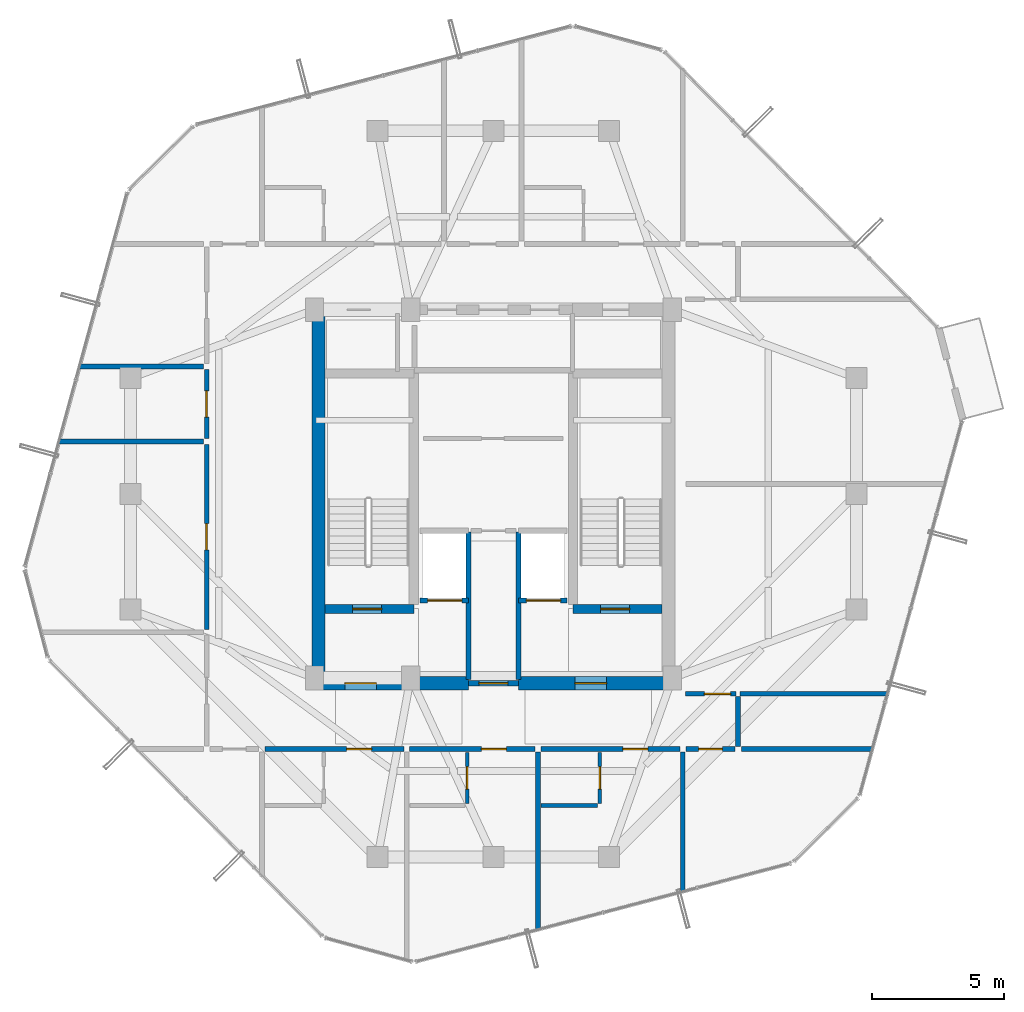
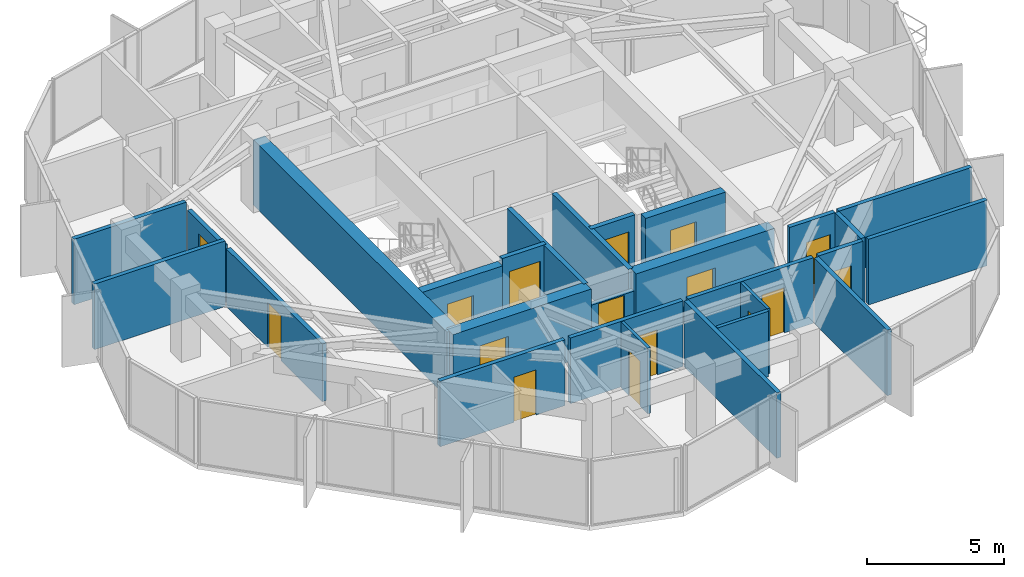
# One storey, part 25 of 29: 27 walls, 16 doors, 16 openings.
"""IFC4 building model written with IfcOpenShell, lengths in metres."""

from ifc_helpers import new_model, si_unit, direction, frame, frame_2d, origin, place, context, subcontext, project, spatial, rectangle, extrude, source, transform, mapped, material, layer, layer_set, type_object, element, fill, save


model = new_model("IFC4")

# Units and contexts
model_context = context("Model", 3, precision=1e-05, world=origin(), true_north=direction((0.0, 1.0)))
body_context = subcontext(model_context, "Body", "Model", "MODEL_VIEW")
ifc_project = project(units=[si_unit("LENGTHUNIT", "METRE"), si_unit("AREAUNIT", "SQUARE_METRE"), si_unit("VOLUMEUNIT", "CUBIC_METRE"), si_unit("PLANEANGLEUNIT", "RADIAN"), si_unit("MASSUNIT", "GRAM", prefix="KILO")], contexts=[model_context])

# Site, building, storey
site_placement = place(None, origin())
site = spatial("IfcSite", under=ifc_project, at=site_placement, CompositionType="ELEMENT")
building_placement = place(site_placement, origin())
building = spatial("IfcBuilding", under=site, at=building_placement, Name="Veraguas Prism Commons", CompositionType="ELEMENT")
storey_placement = place(building_placement, frame((0.0, 0.0, 261.0)))
storey = spatial("IfcBuildingStorey", under=building, at=storey_placement, Name="L74", CompositionType="ELEMENT", Elevation=261.0)

# Wall, opening, door
ifc_material_1 = material(Name="Concrete C50/60", Category="concrete")
ifc_layer_1 = layer(ifc_material_1, 0.35009765625, Name="Core Internal Shear Wall Upper RC 350", Category="concrete")
ifc_layer_set_1 = layer_set([ifc_layer_1], Name="Concrete C50/60")
wall_type_1 = type_object("IfcWallType", Name="Core Internal Shear Wall Upper RC 350", PredefinedType="SHEAR", material=ifc_layer_set_1)
wall_1_placement = place(storey_placement, frame((17.60009765625, 19.625, 0.0), z_axis=(0.0, 0.0, 1.0), x_axis=(1.0, 0.0, 0.0)))
wall_1 = element("IfcWall", 1, at=wall_1_placement, inside=storey, type_object=wall_type_1, Name="Stair ST-01 South Shear Wall L74", PredefinedType="SHEAR", context=body_context, shape_type="SweptSolid", body=[
    extrude(rectangle(XDim=3.375, YDim=0.35009765625, at=frame_2d((1.6875, 0.0))), origin(), (0.0, 0.0, 1.0), 2.929931640625),
])
opening_1_placement = place(wall_1_placement, frame((1.050048828125, 0.0, 0.0)))
opening_1 = element("IfcOpeningElement", 2, at=opening_1_placement, cuts=wall_1, Name="Opening DR-05", PredefinedType="OPENING", context=body_context, shape_type="SweptSolid", body=[
    extrude(rectangle(XDim=1.10009765625, YDim=2.030029296875, at=frame_2d((0.550048828125, 1.01513671875))), frame((0.0, 0.18505859375, 0.0), z_axis=(0.0, -1.0, 0.0), x_axis=(1.0, 0.0, 0.0)), (0.0, 0.0, 1.0), 0.3701171875),
])
ifc_material_2 = material(Name="Steel fire-rated door assembly", Category="steel")
door_type_1 = type_object("IfcDoorType", Name="Protected Stair and Refuge Fire Door 1100x2030", OperationType="NOTDEFINED", PredefinedType="DOOR", material=ifc_material_2)
shared_shape_1 = source(origin(), body_context, "Body", "SweptSolid", [
    extrude(rectangle(XDim=1.10009765625, YDim=2.030029296875, at=frame_2d((0.550048828125, 1.01513671875))), frame((0.0, 0.02490234375, 0.0), z_axis=(0.0, -1.0, 0.0), x_axis=(1.0, 0.0, 0.0)), (0.0, 0.0, 1.0), 0.050048828125),
])
door_1_placement = place(opening_1_placement, origin())
door_1 = element("IfcDoor", 3, at=door_1_placement, inside=storey, type_object=door_type_1, Name="Stair ST-01 Enclosure Door L74", OperationType="SINGLE_SWING_RIGHT", OverallHeight=2.030029296875, OverallWidth=1.10009765625, PredefinedType="DOOR", context=body_context, shape_type="MappedRepresentation", body=[
    mapped(shared_shape_1, transform((0.0, 0.0, 0.0), scale=1.0)),
])
fill(opening_1, door_1)

wall_2_placement = place(storey_placement, frame((27.02490234375, 19.625, 0.0), z_axis=(0.0, 0.0, 1.0), x_axis=(1.0, 0.0, 0.0)))
wall_2 = element("IfcWall", 4, at=wall_2_placement, inside=storey, type_object=wall_type_1, Name="Stair ST-02 South Shear Wall L74", PredefinedType="SHEAR", context=body_context, shape_type="SweptSolid", body=[
    extrude(rectangle(XDim=3.375, YDim=0.35009765625, at=frame_2d((1.6875, 0.0))), origin(), (0.0, 0.0, 1.0), 2.929931640625),
])
opening_2_placement = place(wall_2_placement, frame((1.050048828125, 0.0, 0.0)))
opening_2 = element("IfcOpeningElement", 5, at=opening_2_placement, cuts=wall_2, Name="Opening DR-05", PredefinedType="OPENING", context=body_context, shape_type="SweptSolid", body=[
    extrude(rectangle(XDim=1.10009765625, YDim=2.030029296875, at=frame_2d((0.550048828125, 1.01513671875))), frame((0.0, 0.18505859375, 0.0), z_axis=(0.0, -1.0, 0.0), x_axis=(1.0, 0.0, 0.0)), (0.0, 0.0, 1.0), 0.3701171875),
])
door_2_placement = place(opening_2_placement, origin())
door_2 = element("IfcDoor", 6, at=door_2_placement, inside=storey, type_object=door_type_1, Name="Stair ST-02 Enclosure Door L74", OperationType="SINGLE_SWING_LEFT", OverallHeight=2.030029296875, OverallWidth=1.10009765625, PredefinedType="DOOR", context=body_context, shape_type="MappedRepresentation", body=[
    mapped(shared_shape_1, transform((0.0, 0.0, 0.0), scale=1.0)),
])
fill(opening_2, door_2)

# Wall
ifc_layer_2 = layer(ifc_material_1, 0.5, Name="Core Outer Shear Wall Upper RC 500", Category="concrete")
ifc_layer_set_2 = layer_set([ifc_layer_2], Name="Concrete C50/60")
wall_type_2 = type_object("IfcWallType", Name="Core Outer Shear Wall Upper RC 500", PredefinedType="SHEAR", material=ifc_layer_set_2)
wall_3_placement = place(storey_placement, frame((17.35009765625, 16.800048828125, 0.0), z_axis=(0.0, 0.0, 1.0), x_axis=(0.0, 1.0, 0.0)))
element("IfcWall", 7, at=wall_3_placement, inside=storey, type_object=wall_type_2, Name="Central Core West Shear Wall L74", PredefinedType="SHEAR", context=body_context, shape_type="SweptSolid", body=[
    extrude(rectangle(XDim=14.199951171875, YDim=0.5, at=frame_2d((7.10009765625, 0.0))), origin(), (0.0, 0.0, 1.0), 2.929931640625),
])

# Wall, opening, door
wall_4_placement = place(storey_placement, frame((17.199951171875, 16.800048828125, 0.0), z_axis=(0.0, 0.0, 1.0), x_axis=(1.0, 0.0, 0.0)))
wall_4 = element("IfcWall", 8, at=wall_4_placement, inside=storey, type_object=wall_type_2, Name="Central Core South-West Shear Wall L74", PredefinedType="SHEAR", context=body_context, shape_type="SweptSolid", body=[
    extrude(rectangle(XDim=5.85009765625, YDim=0.5, at=frame_2d((2.925048828125, 0.0))), origin(), (0.0, 0.0, 1.0), 2.929931640625),
])
opening_3_placement = place(wall_4_placement, frame((1.14990234375, 0.0, 0.0)))
opening_3 = element("IfcOpeningElement", 9, at=opening_3_placement, cuts=wall_4, Name="Opening DR-06", PredefinedType="OPENING", context=body_context, shape_type="SweptSolid", body=[
    extrude(rectangle(XDim=1.199951171875, YDim=2.030029296875, at=frame_2d((0.60009765625, 1.01513671875))), frame((0.0, 0.260009765625, 0.0), z_axis=(0.0, -1.0, 0.0), x_axis=(1.0, 0.0, 0.0)), (0.0, 0.0, 1.0), 0.52001953125),
])
door_type_2 = type_object("IfcDoorType", Name="Firefighting Lobby Smoke Door 1200x2030", OperationType="NOTDEFINED", PredefinedType="DOOR", material=ifc_material_2)
shared_shape_2 = source(origin(), body_context, "Body", "SweptSolid", [
    extrude(rectangle(XDim=1.199951171875, YDim=2.030029296875, at=frame_2d((0.60009765625, 1.01513671875))), frame((0.0, 0.02490234375, 0.0), z_axis=(0.0, -1.0, 0.0), x_axis=(1.0, 0.0, 0.0)), (0.0, 0.0, 1.0), 0.050048828125),
])
door_3_placement = place(opening_3_placement, origin())
door_3 = element("IfcDoor", 10, at=door_3_placement, inside=storey, type_object=door_type_2, Name="West FF Lobby Door L74", OperationType="SINGLE_SWING_LEFT", OverallHeight=2.030029296875, OverallWidth=1.199951171875, PredefinedType="DOOR", context=body_context, shape_type="MappedRepresentation", body=[
    mapped(shared_shape_2, transform((0.0, 0.0, 0.0), scale=1.0)),
])
fill(opening_3, door_3)

wall_5_placement = place(storey_placement, frame((24.949951171875, 16.800048828125, 0.0), z_axis=(0.0, 0.0, 1.0), x_axis=(1.0, 0.0, 0.0)))
wall_5 = element("IfcWall", 11, at=wall_5_placement, inside=storey, type_object=wall_type_2, Name="Central Core South-East Shear Wall L74", PredefinedType="SHEAR", context=body_context, shape_type="SweptSolid", body=[
    extrude(rectangle(XDim=5.85009765625, YDim=0.5, at=frame_2d((2.925048828125, 0.0))), origin(), (0.0, 0.0, 1.0), 2.929931640625),
])
opening_4_placement = place(wall_5_placement, frame((2.14990234375, 0.0, 0.0)))
opening_4 = element("IfcOpeningElement", 12, at=opening_4_placement, cuts=wall_5, Name="Opening DR-06", PredefinedType="OPENING", context=body_context, shape_type="SweptSolid", body=[
    extrude(rectangle(XDim=1.199951171875, YDim=2.030029296875, at=frame_2d((0.60009765625, 1.01513671875))), frame((0.0, 0.260009765625, 0.0), z_axis=(0.0, -1.0, 0.0), x_axis=(1.0, 0.0, 0.0)), (0.0, 0.0, 1.0), 0.52001953125),
])
door_4_placement = place(opening_4_placement, origin())
door_4 = element("IfcDoor", 13, at=door_4_placement, inside=storey, type_object=door_type_2, Name="East FF Lobby Door L74", OperationType="SINGLE_SWING_LEFT", OverallHeight=2.030029296875, OverallWidth=1.199951171875, PredefinedType="DOOR", context=body_context, shape_type="MappedRepresentation", body=[
    mapped(shared_shape_2, transform((0.0, 0.0, 0.0), scale=1.0)),
])
fill(opening_4, door_4)

# Wall
ifc_material_3 = material(Name="Autoclaved aerated masonry block 10 MPa", Category="masonry")
ifc_layer_3 = layer(ifc_material_3, 0.179931640625, Name="Corridor and Inter-Tenancy Partition 180", Category="masonry")
ifc_layer_set_3 = layer_set([ifc_layer_3], Name="Autoclaved aerated masonry block 10 MPa")
wall_type_3 = type_object("IfcWallType", Name="Corridor and Inter-Tenancy Partition 180", PredefinedType="PARTITIONING", material=ifc_layer_set_3)
wall_6_placement = place(storey_placement, frame((31.199951171875, 14.179931640625, 0.0), z_axis=(0.0, 0.0, 1.0), x_axis=(0.0, -1.0, 0.0)))
element("IfcWall", 14, at=wall_6_placement, inside=storey, type_object=wall_type_3, Name="WL-L74-PT002", PredefinedType="PARTITIONING", context=body_context, shape_type="SweptSolid", body=[
    extrude(rectangle(XDim=5.333251953125, YDim=0.179931640625, at=frame_2d((2.66650390625, 0.0))), origin(), (0.0, 0.0, 1.0), 2.929931640625),
])

# Wall, opening, door
wall_7_placement = place(storey_placement, frame((15.31005859375, 14.300048828125, 0.0), z_axis=(0.0, 0.0, 1.0), x_axis=(1.0, 0.0, 0.0)))
wall_7 = element("IfcWall", 15, at=wall_7_placement, inside=storey, type_object=wall_type_3, Name="WL-L74-PT003", PredefinedType="PARTITIONING", context=body_context, shape_type="SweptSolid", body=[
    extrude(rectangle(XDim=5.284912109375, YDim=0.179931640625, at=frame_2d((2.642578125, 0.0))), origin(), (0.0, 0.0, 1.0), 2.929931640625),
])
opening_5_placement = place(wall_7_placement, frame((3.11181640625, 0.0, 0.0)))
opening_5 = element("IfcOpeningElement", 16, at=opening_5_placement, cuts=wall_7, Name="Opening DR-01", PredefinedType="OPENING", context=body_context, shape_type="SweptSolid", body=[
    extrude(rectangle(XDim=0.949951171875, YDim=2.02001953125, at=frame_2d((0.47509765625, 1.010009765625))), frame((0.0, 0.099853515625, 0.0), z_axis=(0.0, -1.0, 0.0), x_axis=(1.0, 0.0, 0.0)), (0.0, 0.0, 1.0), 0.199951171875),
])
ifc_material_4 = material(Name="Anodised aluminium EN AW-6063 T6", Category="aluminium")
door_type_3 = type_object("IfcDoorType", Name="Apartment Entrance Fire Door 950x2020", OperationType="NOTDEFINED", PredefinedType="DOOR", material=ifc_material_4)
shared_shape_3 = source(origin(), body_context, "Body", "SweptSolid", [
    extrude(rectangle(XDim=0.949951171875, YDim=2.02001953125, at=frame_2d((0.47509765625, 1.010009765625))), frame((0.0, 0.02490234375, 0.0), z_axis=(0.0, -1.0, 0.0), x_axis=(1.0, 0.0, 0.0)), (0.0, 0.0, 1.0), 0.050048828125),
])
door_5_placement = place(opening_5_placement, origin())
door_5 = element("IfcDoor", 17, at=door_5_placement, inside=storey, type_object=door_type_3, Name="Studio 74A Entrance Door", OperationType="SINGLE_SWING_RIGHT", OverallHeight=2.02001953125, OverallWidth=0.949951171875, PredefinedType="DOOR", context=body_context, shape_type="MappedRepresentation", body=[
    mapped(shared_shape_3, transform((0.0, 0.0, 0.0), scale=1.0)),
])
fill(opening_5, door_5)

wall_8_placement = place(storey_placement, frame((20.81494140625, 14.300048828125, 0.0), z_axis=(0.0, 0.0, 1.0), x_axis=(1.0, 0.0, 0.0)))
wall_8 = element("IfcWall", 18, at=wall_8_placement, inside=storey, type_object=wall_type_3, Name="WL-L74-PT007", PredefinedType="PARTITIONING", context=body_context, shape_type="SweptSolid", body=[
    extrude(rectangle(XDim=4.77001953125, YDim=0.179931640625, at=frame_2d((2.385009765625, 0.0))), origin(), (0.0, 0.0, 1.0), 2.929931640625),
])
opening_6_placement = place(wall_8_placement, frame((2.730712890625, 0.0, 0.0)))
opening_6 = element("IfcOpeningElement", 19, at=opening_6_placement, cuts=wall_8, Name="Opening DR-01", PredefinedType="OPENING", context=body_context, shape_type="SweptSolid", body=[
    extrude(rectangle(XDim=0.949951171875, YDim=2.02001953125, at=frame_2d((0.47509765625, 1.010009765625))), frame((0.0, 0.099853515625, 0.0), z_axis=(0.0, -1.0, 0.0), x_axis=(1.0, 0.0, 0.0)), (0.0, 0.0, 1.0), 0.199951171875),
])
door_6_placement = place(opening_6_placement, origin())
door_6 = element("IfcDoor", 20, at=door_6_placement, inside=storey, type_object=door_type_3, Name="Studio 74B Entrance Door", OperationType="SINGLE_SWING_RIGHT", OverallHeight=2.02001953125, OverallWidth=0.949951171875, PredefinedType="DOOR", context=body_context, shape_type="MappedRepresentation", body=[
    mapped(shared_shape_3, transform((0.0, 0.0, 0.0), scale=1.0)),
])
fill(opening_6, door_6)

# Wall
wall_9_placement = place(storey_placement, frame((25.695068359375, 14.179931640625, 0.0), z_axis=(0.0, 0.0, 1.0), x_axis=(0.0, -1.0, 0.0)))
element("IfcWall", 21, at=wall_9_placement, inside=storey, type_object=wall_type_3, Name="WL-L74-PT010", PredefinedType="PARTITIONING", context=body_context, shape_type="SweptSolid", body=[
    extrude(rectangle(XDim=6.777587890625, YDim=0.179931640625, at=frame_2d((3.388671875, 0.0))), origin(), (0.0, 0.0, 1.0), 2.929931640625),
])

# Wall, opening, door
wall_10_placement = place(storey_placement, frame((25.804931640625, 14.300048828125, 0.0), z_axis=(0.0, 0.0, 1.0), x_axis=(1.0, 0.0, 0.0)))
wall_10 = element("IfcWall", 22, at=wall_10_placement, inside=storey, type_object=wall_type_3, Name="WL-L74-PT011", PredefinedType="PARTITIONING", context=body_context, shape_type="SweptSolid", body=[
    extrude(rectangle(XDim=5.28515625, YDim=0.179931640625, at=frame_2d((2.642578125, 0.0))), origin(), (0.0, 0.0, 1.0), 2.929931640625),
])
opening_7_placement = place(wall_10_placement, frame((3.11181640625, 0.0, 0.0)))
opening_7 = element("IfcOpeningElement", 23, at=opening_7_placement, cuts=wall_10, Name="Opening DR-01", PredefinedType="OPENING", context=body_context, shape_type="SweptSolid", body=[
    extrude(rectangle(XDim=0.949951171875, YDim=2.02001953125, at=frame_2d((0.47509765625, 1.010009765625))), frame((0.0, 0.099853515625, 0.0), z_axis=(0.0, -1.0, 0.0), x_axis=(1.0, 0.0, 0.0)), (0.0, 0.0, 1.0), 0.199951171875),
])
door_7_placement = place(opening_7_placement, origin())
door_7 = element("IfcDoor", 24, at=door_7_placement, inside=storey, type_object=door_type_3, Name="Studio 74C Entrance Door", OperationType="SINGLE_SWING_RIGHT", OverallHeight=2.02001953125, OverallWidth=0.949951171875, PredefinedType="DOOR", context=body_context, shape_type="MappedRepresentation", body=[
    mapped(shared_shape_3, transform((0.0, 0.0, 0.0), scale=1.0)),
])
fill(opening_7, door_7)

wall_11_placement = place(storey_placement, frame((13.10009765625, 18.85400390625, 0.0), z_axis=(0.0, 0.0, 1.0), x_axis=(0.0, 1.0, 0.0)))
wall_11 = element("IfcWall", 25, at=wall_11_placement, inside=storey, type_object=wall_type_3, Name="WL-L74-PT028", PredefinedType="PARTITIONING", context=body_context, shape_type="SweptSolid", body=[
    extrude(rectangle(XDim=7.030029296875, YDim=0.179931640625, at=frame_2d((3.51513671875, 0.0))), origin(), (0.0, 0.0, 1.0), 2.576904296875),
])
opening_8_placement = place(wall_11_placement, frame((3.014892578125, 0.0, 0.0)))
opening_8 = element("IfcOpeningElement", 26, at=opening_8_placement, cuts=wall_11, Name="Opening DR-13", PredefinedType="OPENING", context=body_context, shape_type="SweptSolid", body=[
    extrude(rectangle(XDim=1.0, YDim=2.010009765625, at=frame_2d((0.5, 1.0048828125))), frame((0.0, 0.099853515625, 0.0), z_axis=(0.0, -1.0, 0.0), x_axis=(1.0, 0.0, 0.0)), (0.0, 0.0, 1.0), 0.199951171875),
])
door_type_4 = type_object("IfcDoorType", Name="Core Accessible WC and Clinic Fire Door 1000x2010", OperationType="NOTDEFINED", PredefinedType="DOOR", material=ifc_material_2)
shared_shape_4 = source(origin(), body_context, "Body", "SweptSolid", [
    extrude(rectangle(XDim=1.0, YDim=2.010009765625, at=frame_2d((0.5, 1.0048828125))), frame((0.0, 0.02490234375, 0.0), z_axis=(0.0, -1.0, 0.0), x_axis=(1.0, 0.0, 0.0)), (0.0, 0.0, 1.0), 0.050048828125),
])
door_8_placement = place(opening_8_placement, origin())
door_8 = element("IfcDoor", 27, at=door_8_placement, inside=storey, type_object=door_type_4, Name="Co-op Store W Door", OperationType="SINGLE_SWING_RIGHT", OverallHeight=2.010009765625, OverallWidth=1.0, PredefinedType="DOOR", context=body_context, shape_type="MappedRepresentation", body=[
    mapped(shared_shape_4, transform((0.0, 0.0, 0.0), scale=1.0)),
])
fill(opening_8, door_8)

# Wall
wall_12_placement = place(storey_placement, frame((12.97998046875, 25.993896484375, 0.0), z_axis=(0.0, 0.0, 1.0), x_axis=(-1.0, 0.0, 0.0)))
element("IfcWall", 28, at=wall_12_placement, inside=storey, type_object=wall_type_3, Name="WL-L74-PT030", PredefinedType="PARTITIONING", context=body_context, shape_type="SweptSolid", body=[
    extrude(rectangle(XDim=5.524658203125, YDim=0.179931640625, at=frame_2d((2.76220703125, 0.0))), origin(), (0.0, 0.0, 1.0), 2.929931640625),
])

# Wall, opening, door
wall_13_placement = place(storey_placement, frame((13.10009765625, 26.10400390625, 0.0), z_axis=(0.0, 0.0, 1.0), x_axis=(0.0, 1.0, 0.0)))
wall_13 = element("IfcWall", 29, at=wall_13_placement, inside=storey, type_object=wall_type_3, Name="WL-L74-PT031", PredefinedType="PARTITIONING", context=body_context, shape_type="SweptSolid", body=[
    extrude(rectangle(XDim=2.632080078125, YDim=0.179931640625, at=frame_2d((1.31591796875, 0.0))), origin(), (0.0, 0.0, 1.0), 2.576904296875),
])
opening_9_placement = place(wall_13_placement, frame((0.81591796875, 0.0, 0.0)))
opening_9 = element("IfcOpeningElement", 30, at=opening_9_placement, cuts=wall_13, Name="Opening DR-13", PredefinedType="OPENING", context=body_context, shape_type="SweptSolid", body=[
    extrude(rectangle(XDim=1.0, YDim=2.010009765625, at=frame_2d((0.5, 1.0048828125))), frame((0.0, 0.099853515625, 0.0), z_axis=(0.0, -1.0, 0.0), x_axis=(1.0, 0.0, 0.0)), (0.0, 0.0, 1.0), 0.199951171875),
])
door_9_placement = place(opening_9_placement, origin())
door_9 = element("IfcDoor", 31, at=door_9_placement, inside=storey, type_object=door_type_4, Name="Youth Homework Study Room Door", OperationType="SINGLE_SWING_LEFT", OverallHeight=2.010009765625, OverallWidth=1.0, PredefinedType="DOOR", context=body_context, shape_type="MappedRepresentation", body=[
    mapped(shared_shape_4, transform((0.0, 0.0, 0.0), scale=1.0)),
])
fill(opening_9, door_9)

# Walls
wall_14_placement = place(storey_placement, frame((12.97998046875, 28.845947265625, 0.0), z_axis=(0.0, 0.0, 1.0), x_axis=(-1.0, 0.0, 0.0)))
element("IfcWall", 32, at=wall_14_placement, inside=storey, type_object=wall_type_3, Name="WL-L74-PT033", PredefinedType="PARTITIONING", context=body_context, shape_type="SweptSolid", body=[
    extrude(rectangle(XDim=4.744384765625, YDim=0.179931640625, at=frame_2d((2.3720703125, 0.0))), origin(), (0.0, 0.0, 1.0), 2.929931640625),
])
wall_15_placement = place(storey_placement, frame((33.300048828125, 14.39990234375, 0.0), z_axis=(0.0, 0.0, 1.0), x_axis=(0.0, 1.0, 0.0)))
element("IfcWall", 33, at=wall_15_placement, inside=storey, type_object=wall_type_3, Name="WL-L74-PT035", PredefinedType="PARTITIONING", context=body_context, shape_type="SweptSolid", body=[
    extrude(rectangle(XDim=1.900146484375, YDim=0.179931640625, at=frame_2d((0.9501953125, 0.0))), origin(), (0.0, 0.0, 1.0), 2.929931640625),
])

# Wall, opening, door
wall_16_placement = place(storey_placement, frame((31.300048828125, 16.39990234375, 0.0), z_axis=(0.0, 0.0, 1.0), x_axis=(1.0, 0.0, 0.0)))
wall_16 = element("IfcWall", 34, at=wall_16_placement, inside=storey, type_object=wall_type_3, Name="WL-L74-PT037", PredefinedType="PARTITIONING", context=body_context, shape_type="SweptSolid", body=[
    extrude(rectangle(XDim=1.919921875, YDim=0.179931640625, at=frame_2d((0.9599609375, 0.0))), origin(), (0.0, 0.0, 1.0), 2.929931640625),
])
opening_10_placement = place(wall_16_placement, frame((0.719970703125, 0.0, 0.0)))
opening_10 = element("IfcOpeningElement", 35, at=opening_10_placement, cuts=wall_16, Name="Opening DR-13", PredefinedType="OPENING", context=body_context, shape_type="SweptSolid", body=[
    extrude(rectangle(XDim=1.0, YDim=2.010009765625, at=frame_2d((0.5, 1.0048828125))), frame((0.0, 0.099853515625, 0.0), z_axis=(0.0, -1.0, 0.0), x_axis=(1.0, 0.0, 0.0)), (0.0, 0.0, 1.0), 0.199951171875),
])
door_10_placement = place(opening_10_placement, origin())
door_10 = element("IfcDoor", 36, at=door_10_placement, inside=storey, type_object=door_type_4, Name="Panorama Lounge Door L74", OperationType="SINGLE_SWING_LEFT", OverallHeight=2.010009765625, OverallWidth=1.0, PredefinedType="DOOR", context=body_context, shape_type="MappedRepresentation", body=[
    mapped(shared_shape_4, transform((0.0, 0.0, 0.0), scale=1.0)),
])
fill(opening_10, door_10)

# Walls
wall_17_placement = place(storey_placement, frame((33.3798828125, 16.39990234375, 0.0), z_axis=(0.0, 0.0, 1.0), x_axis=(1.0, 0.0, 0.0)))
element("IfcWall", 37, at=wall_17_placement, inside=storey, type_object=wall_type_3, Name="WL-L74-PT038", PredefinedType="PARTITIONING", context=body_context, shape_type="SweptSolid", body=[
    extrude(rectangle(XDim=5.631103515625, YDim=0.179931640625, at=frame_2d((2.8154296875, 0.0))), origin(), (0.0, 0.0, 1.0), 2.929931640625),
])
wall_18_placement = place(storey_placement, frame((33.419921875, 14.300048828125, 0.0), z_axis=(0.0, 0.0, 1.0), x_axis=(1.0, 0.0, 0.0)))
element("IfcWall", 38, at=wall_18_placement, inside=storey, type_object=wall_type_3, Name="WL-L74-PT042", PredefinedType="PARTITIONING", context=body_context, shape_type="SweptSolid", body=[
    extrude(rectangle(XDim=5.0166015625, YDim=0.179931640625, at=frame_2d((2.50830078125, 0.0))), origin(), (0.0, 0.0, 1.0), 2.929931640625),
])

# Wall, opening, door
wall_19_placement = place(storey_placement, frame((31.320068359375, 14.300048828125, 0.0), z_axis=(0.0, 0.0, 1.0), x_axis=(1.0, 0.0, 0.0)))
wall_19 = element("IfcWall", 39, at=wall_19_placement, inside=storey, type_object=wall_type_3, Name="WL-L74-PT043", PredefinedType="PARTITIONING", context=body_context, shape_type="SweptSolid", body=[
    extrude(rectangle(XDim=1.85986328125, YDim=0.179931640625, at=frame_2d((0.929931640625, 0.0))), origin(), (0.0, 0.0, 1.0), 2.929931640625),
])
opening_11_placement = place(wall_19_placement, frame((0.47998046875, 0.0, 0.0)))
opening_11 = element("IfcOpeningElement", 40, at=opening_11_placement, cuts=wall_19, Name="Opening DR-14", PredefinedType="OPENING", context=body_context, shape_type="SweptSolid", body=[
    extrude(rectangle(XDim=0.89990234375, YDim=2.010009765625, at=frame_2d((0.449951171875, 1.0048828125))), frame((0.0, 0.099853515625, 0.0), z_axis=(0.0, -1.0, 0.0), x_axis=(1.0, 0.0, 0.0)), (0.0, 0.0, 1.0), 0.199951171875),
])
door_type_5 = type_object("IfcDoorType", Name="Core Service Room Fire Door 900x2010", OperationType="NOTDEFINED", PredefinedType="DOOR", material=ifc_material_2)
shared_shape_5 = source(origin(), body_context, "Body", "SweptSolid", [
    extrude(rectangle(XDim=0.89990234375, YDim=2.010009765625, at=frame_2d((0.449951171875, 1.0048828125))), frame((0.0, 0.02490234375, 0.0), z_axis=(0.0, -1.0, 0.0), x_axis=(1.0, 0.0, 0.0)), (0.0, 0.0, 1.0), 0.050048828125),
])
door_11_placement = place(opening_11_placement, origin())
door_11 = element("IfcDoor", 41, at=door_11_placement, inside=storey, type_object=door_type_5, Name="Corner Study SE Door", OperationType="SINGLE_SWING_RIGHT", OverallHeight=2.010009765625, OverallWidth=0.89990234375, PredefinedType="DOOR", context=body_context, shape_type="MappedRepresentation", body=[
    mapped(shared_shape_5, transform((0.0, 0.0, 0.0), scale=1.0)),
])
fill(opening_11, door_11)

ifc_material_5 = material(Name="Lightweight acoustic gypsum board")
ifc_layer_4 = layer(ifc_material_5, 0.125, Name="Internal Apartment Room Partition 125")
ifc_layer_set_4 = layer_set([ifc_layer_4], Name="Lightweight acoustic gypsum board")
wall_type_4 = type_object("IfcWallType", Name="Internal Apartment Room Partition 125", PredefinedType="PARTITIONING", material=ifc_layer_set_4)
wall_20_placement = place(storey_placement, frame((23.0, 14.179931640625, 0.0), z_axis=(0.0, 0.0, 1.0), x_axis=(0.0, -1.0, 0.0)))
wall_20 = element("IfcWall", 42, at=wall_20_placement, inside=storey, type_object=wall_type_4, Name="WL-L74-PT008", PredefinedType="PARTITIONING", context=body_context, shape_type="SweptSolid", body=[
    extrude(rectangle(XDim=1.949951171875, YDim=0.125, at=frame_2d((0.97509765625, 0.0))), origin(), (0.0, 0.0, 1.0), 2.929931640625),
])
opening_12_placement = place(wall_20_placement, frame((0.544921875, 0.0, 0.0)))
opening_12 = element("IfcOpeningElement", 43, at=opening_12_placement, cuts=wall_20, Name="Opening DR-03", PredefinedType="OPENING", context=body_context, shape_type="SweptSolid", body=[
    extrude(rectangle(XDim=0.860107421875, YDim=2.010009765625, at=frame_2d((0.43017578125, 1.0048828125))), frame((0.0, 0.072509765625, 0.0), z_axis=(0.0, -1.0, 0.0), x_axis=(1.0, 0.0, 0.0)), (0.0, 0.0, 1.0), 0.14501953125),
])
ifc_material_6 = material(Name="Timber moisture-resistant leaf", Category="wood")
door_type_6 = type_object("IfcDoorType", Name="Internal Bathroom Door 860x2010", OperationType="NOTDEFINED", PredefinedType="DOOR", material=ifc_material_6)
shared_shape_6 = source(origin(), body_context, "Body", "SweptSolid", [
    extrude(rectangle(XDim=0.860107421875, YDim=2.010009765625, at=frame_2d((0.43017578125, 1.0048828125))), frame((0.0, 0.02490234375, 0.0), z_axis=(0.0, -1.0, 0.0), x_axis=(1.0, 0.0, 0.0)), (0.0, 0.0, 1.0), 0.050048828125),
])
door_12_placement = place(opening_12_placement, origin())
door_12 = element("IfcDoor", 44, at=door_12_placement, inside=storey, type_object=door_type_6, Name="Studio 74B Bathroom Door", OperationType="SINGLE_SWING_LEFT", OverallHeight=2.010009765625, OverallWidth=0.860107421875, PredefinedType="DOOR", context=body_context, shape_type="MappedRepresentation", body=[
    mapped(shared_shape_6, transform((0.0, 0.0, 0.0), scale=1.0)),
])
fill(opening_12, door_12)

wall_21_placement = place(storey_placement, frame((28.044921875, 14.179931640625, 0.0), z_axis=(0.0, 0.0, 1.0), x_axis=(0.0, -1.0, 0.0)))
wall_21 = element("IfcWall", 45, at=wall_21_placement, inside=storey, type_object=wall_type_4, Name="WL-L74-PT012", PredefinedType="PARTITIONING", context=body_context, shape_type="SweptSolid", body=[
    extrude(rectangle(XDim=1.949951171875, YDim=0.125, at=frame_2d((0.97509765625, 0.0))), origin(), (0.0, 0.0, 1.0), 2.929931640625),
])
opening_13_placement = place(wall_21_placement, frame((0.544921875, 0.0, 0.0)))
opening_13 = element("IfcOpeningElement", 46, at=opening_13_placement, cuts=wall_21, Name="Opening DR-03", PredefinedType="OPENING", context=body_context, shape_type="SweptSolid", body=[
    extrude(rectangle(XDim=0.860107421875, YDim=2.010009765625, at=frame_2d((0.43017578125, 1.0048828125))), frame((0.0, 0.072509765625, 0.0), z_axis=(0.0, -1.0, 0.0), x_axis=(1.0, 0.0, 0.0)), (0.0, 0.0, 1.0), 0.14501953125),
])
door_13_placement = place(opening_13_placement, origin())
door_13 = element("IfcDoor", 47, at=door_13_placement, inside=storey, type_object=door_type_6, Name="Studio 74C Bathroom Door", OperationType="SINGLE_SWING_LEFT", OverallHeight=2.010009765625, OverallWidth=0.860107421875, PredefinedType="DOOR", context=body_context, shape_type="MappedRepresentation", body=[
    mapped(shared_shape_6, transform((0.0, 0.0, 0.0), scale=1.0)),
])
fill(opening_13, door_13)

ifc_layer_5 = layer(ifc_material_3, 0.199951171875, Name="Rated Shaft and Lobby Block Wall 200", Category="masonry")
ifc_layer_set_5 = layer_set([ifc_layer_5], Name="Autoclaved aerated masonry block 10 MPa")
wall_type_5 = type_object("IfcWallType", Name="Rated Shaft and Lobby Block Wall 200", PredefinedType="SOLIDWALL", material=ifc_layer_set_5)
wall_22_placement = place(storey_placement, frame((23.050048828125, 16.800048828125, 0.0), z_axis=(0.0, 0.0, 1.0), x_axis=(1.0, 0.0, 0.0)))
wall_22 = element("IfcWall", 48, at=wall_22_placement, inside=storey, type_object=wall_type_5, Name="Central Core Lobby Entrance Wall L74", PredefinedType="SOLIDWALL", context=body_context, shape_type="SweptSolid", body=[
    extrude(rectangle(XDim=1.89990234375, YDim=0.199951171875, at=frame_2d((0.949951171875, 0.0))), origin(), (0.0, 0.0, 1.0), 2.080078125),
])
opening_14_placement = place(wall_22_placement, frame((0.39990234375, 0.0, 0.0)))
opening_14 = element("IfcOpeningElement", 49, at=opening_14_placement, cuts=wall_22, Name="Opening DR-05", PredefinedType="OPENING", context=body_context, shape_type="SweptSolid", body=[
    extrude(rectangle(XDim=1.10009765625, YDim=2.030029296875, at=frame_2d((0.550048828125, 1.01513671875))), frame((0.0, 0.10986328125, 0.0), z_axis=(0.0, -1.0, 0.0), x_axis=(1.0, 0.0, 0.0)), (0.0, 0.0, 1.0), 0.219970703125),
])
door_14_placement = place(opening_14_placement, origin())
door_14 = element("IfcDoor", 50, at=door_14_placement, inside=storey, type_object=door_type_1, Name="Central Lobby Door L74", OperationType="SINGLE_SWING_RIGHT", OverallHeight=2.030029296875, OverallWidth=1.10009765625, PredefinedType="DOOR", context=body_context, shape_type="MappedRepresentation", body=[
    mapped(shared_shape_1, transform((0.0, 0.0, 0.0), scale=1.0)),
])
fill(opening_14, door_14)

wall_23_placement = place(storey_placement, frame((21.199951171875, 19.949951171875, 0.0), z_axis=(0.0, 0.0, 1.0), x_axis=(1.0, 0.0, 0.0)))
wall_23 = element("IfcWall", 51, at=wall_23_placement, inside=storey, type_object=wall_type_5, Name="Firefighting Lift FFL-1 Front Wall L74", PredefinedType="SOLIDWALL", context=body_context, shape_type="SweptSolid", body=[
    extrude(rectangle(XDim=1.85009765625, YDim=0.199951171875, at=frame_2d((0.925048828125, 0.0))), origin(), (0.0, 0.0, 1.0), 2.929931640625),
])
opening_15_placement = place(wall_23_placement, frame((0.300048828125, 0.0, 0.0)))
opening_15 = element("IfcOpeningElement", 52, at=opening_15_placement, cuts=wall_23, Name="Opening LD-02", PredefinedType="OPENING", context=body_context, shape_type="SweptSolid", body=[
    extrude(rectangle(XDim=1.300048828125, YDim=2.25, at=frame_2d((0.64990234375, 1.125))), frame((0.0, 0.10986328125, 0.0), z_axis=(0.0, -1.0, 0.0), x_axis=(1.0, 0.0, 0.0)), (0.0, 0.0, 1.0), 0.219970703125),
])
ifc_material_7 = material(Name="Stainless steel AISI 316", Category="steel")
door_type_7 = type_object("IfcDoorType", Name="Firefighting Lift Sliding Landing Door 1300x2250", OperationType="NOTDEFINED", PredefinedType="DOOR", material=ifc_material_7)
shared_shape_7 = source(origin(), body_context, "Body", "SweptSolid", [
    extrude(rectangle(XDim=1.300048828125, YDim=2.25, at=frame_2d((0.64990234375, 1.125))), frame((0.0, 0.02490234375, 0.0), z_axis=(0.0, -1.0, 0.0), x_axis=(1.0, 0.0, 0.0)), (0.0, 0.0, 1.0), 0.050048828125),
])
door_15_placement = place(opening_15_placement, origin())
door_15 = element("IfcDoor", 53, at=door_15_placement, inside=storey, type_object=door_type_7, Name="Firefighting Lift FFL-1 Landing Door L74", OperationType="SLIDING_TO_LEFT", OverallHeight=2.25, OverallWidth=1.300048828125, PredefinedType="DOOR", context=body_context, shape_type="MappedRepresentation", body=[
    mapped(shared_shape_7, transform((0.0, 0.0, 0.0), scale=1.0)),
])
fill(opening_15, door_15)

wall_24_placement = place(storey_placement, frame((24.949951171875, 19.949951171875, 0.0), z_axis=(0.0, 0.0, 1.0), x_axis=(1.0, 0.0, 0.0)))
wall_24 = element("IfcWall", 54, at=wall_24_placement, inside=storey, type_object=wall_type_5, Name="Firefighting Lift FFL-2 Front Wall L74", PredefinedType="SOLIDWALL", context=body_context, shape_type="SweptSolid", body=[
    extrude(rectangle(XDim=1.85009765625, YDim=0.199951171875, at=frame_2d((0.925048828125, 0.0))), origin(), (0.0, 0.0, 1.0), 2.929931640625),
])
opening_16_placement = place(wall_24_placement, frame((0.300048828125, 0.0, 0.0)))
opening_16 = element("IfcOpeningElement", 55, at=opening_16_placement, cuts=wall_24, Name="Opening LD-02", PredefinedType="OPENING", context=body_context, shape_type="SweptSolid", body=[
    extrude(rectangle(XDim=1.300048828125, YDim=2.25, at=frame_2d((0.64990234375, 1.125))), frame((0.0, 0.10986328125, 0.0), z_axis=(0.0, -1.0, 0.0), x_axis=(1.0, 0.0, 0.0)), (0.0, 0.0, 1.0), 0.219970703125),
])
door_16_placement = place(opening_16_placement, origin())
door_16 = element("IfcDoor", 56, at=door_16_placement, inside=storey, type_object=door_type_7, Name="Firefighting Lift FFL-2 Front Wall L74", OperationType="SLIDING_TO_LEFT", OverallHeight=2.25, OverallWidth=1.300048828125, PredefinedType="DOOR", context=body_context, shape_type="MappedRepresentation", body=[
    mapped(shared_shape_7, transform((0.0, 0.0, 0.0), scale=1.0)),
])
fill(opening_16, door_16)

# Walls
for number, where, z_axis, x_axis, name in (
    (57, (23.050048828125, 16.949951171875, 0.0), (0.0, 0.0, 1.0), (0.0, 1.0, 0.0), "West FF Lobby Divider Wall L74"),
    (58, (24.949951171875, 16.949951171875, 0.0), (0.0, 0.0, 1.0), (0.0, 1.0, 0.0), "East FF Lobby Divider Wall L74"),
):
    element("IfcWall", number, at=place(storey_placement, frame(where, z_axis=z_axis, x_axis=x_axis)), inside=storey, type_object=wall_type_5, Name=name, PredefinedType="SOLIDWALL", context=body_context, shape_type="SweptSolid", body=[
        extrude(rectangle(XDim=5.60009765625, YDim=0.199951171875, at=frame_2d((2.800048828125, 0.0))), origin(), (0.0, 0.0, 1.0), 2.929931640625),
    ])
ifc_layer_6 = layer(ifc_material_5, 0.14990234375, Name="Wet Room and Clinic Acoustic Partition 150")
ifc_layer_set_6 = layer_set([ifc_layer_6], Name="Lightweight acoustic gypsum board")
wall_type_6 = type_object("IfcWallType", Name="Wet Room and Clinic Acoustic Partition 150", PredefinedType="PARTITIONING", material=ifc_layer_set_6)
wall_25_placement = place(storey_placement, frame((25.81494140625, 12.14990234375, 0.0), z_axis=(0.0, 0.0, 1.0), x_axis=(1.0, 0.0, 0.0)))
element("IfcWall", 59, at=wall_25_placement, inside=storey, type_object=wall_type_6, Name="WL-L74-PT013", PredefinedType="PARTITIONING", context=body_context, shape_type="SweptSolid", body=[
    extrude(rectangle(XDim=2.150146484375, YDim=0.14990234375, at=frame_2d((1.0751953125, 0.0))), origin(), (0.0, 0.0, 1.0), 2.929931640625),
])

save(model, "model.ifc")
